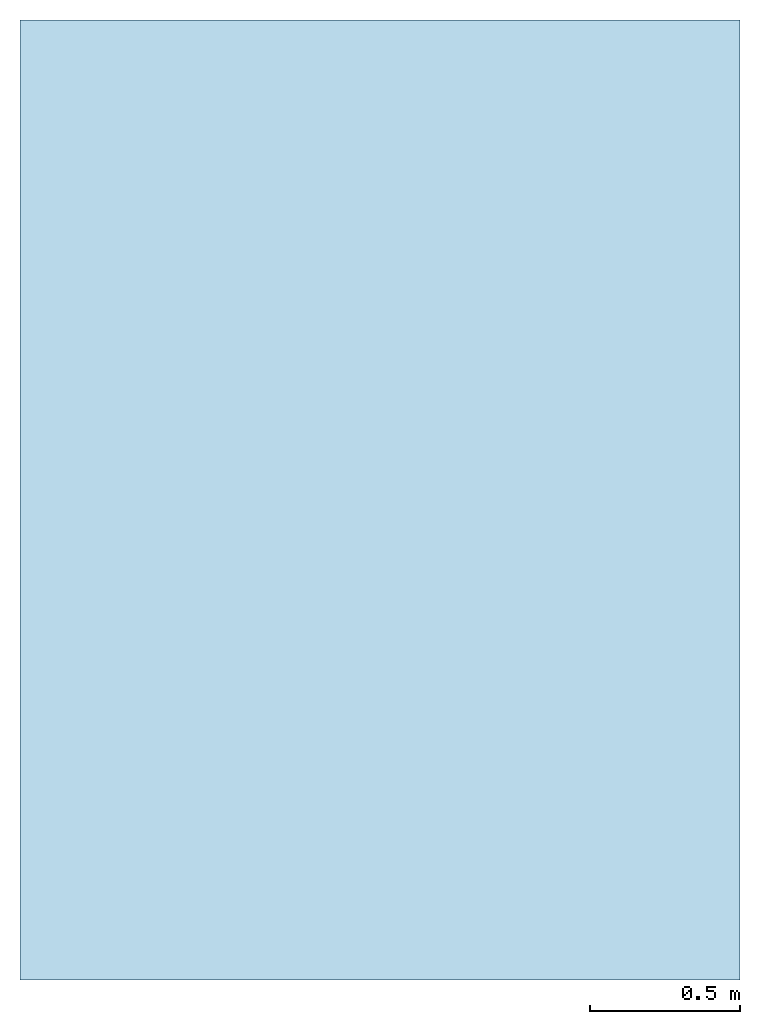
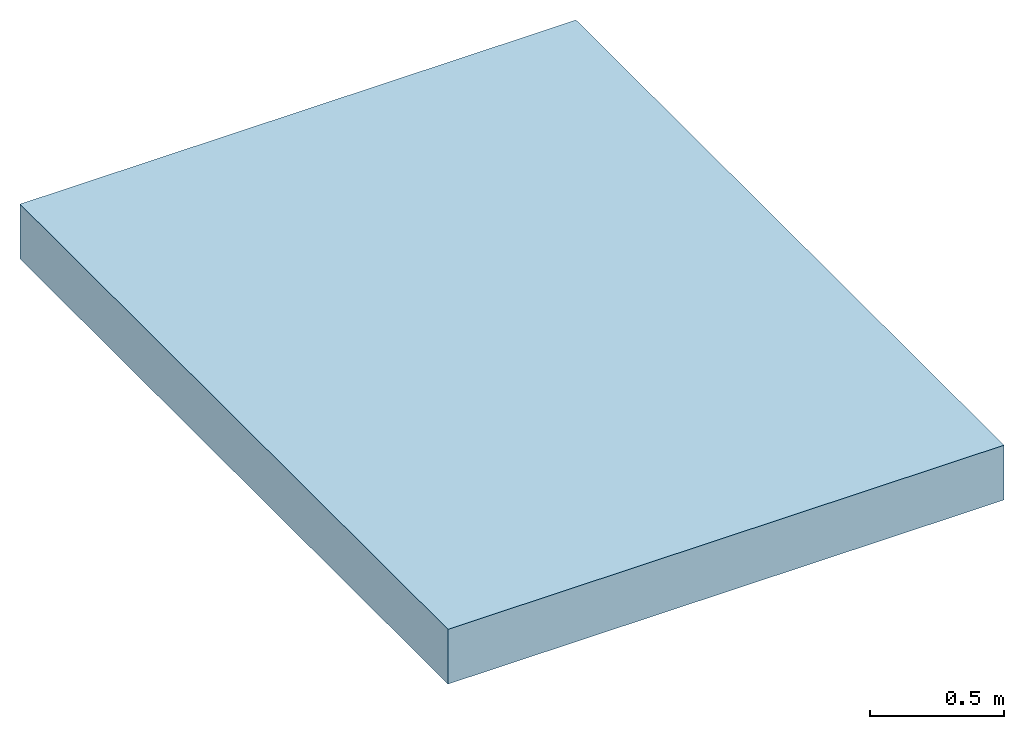
# One storey: 1 slab.
"""IFC4 building model written with IfcOpenShell, lengths in metres."""

from ifc_helpers import new_model, si_unit, direction, frame, origin, place, context, subcontext, project, spatial, polyline, outline, extrude, material, layer, layer_set, type_object, element, save


model = new_model("IFC4")

# Units and contexts
model_context = context("Model", 3, precision=1e-05, world=origin(), true_north=direction((0.0, 1.0)))
body_context = subcontext(model_context, "Body", "Model", "MODEL_VIEW")
ifc_project = project(units=[si_unit("LENGTHUNIT", "METRE"), si_unit("AREAUNIT", "SQUARE_METRE"), si_unit("VOLUMEUNIT", "CUBIC_METRE"), si_unit("PLANEANGLEUNIT", "RADIAN"), si_unit("MASSUNIT", "GRAM", prefix="KILO")], contexts=[model_context])

# Site, building, storey
site_placement = place(None, origin())
site = spatial("IfcSite", under=ifc_project, at=site_placement, CompositionType="ELEMENT")
building_placement = place(site_placement, origin())
building = spatial("IfcBuilding", under=site, at=building_placement, Name="Ravi Spectrum Wholesale Market", CompositionType="ELEMENT")
storey_placement = place(building_placement, frame((0.0, 0.0, 20.39990234375)))
storey = spatial("IfcBuildingStorey", under=building, at=storey_placement, Name="ROOF OVERRUN", CompositionType="ELEMENT", Elevation=20.39990234375)

# Slab
ifc_material = material(Name="Concrete C35/45", Category="concrete")
ifc_layer = layer(ifc_material, 0.25)
ifc_layer_set = layer_set([ifc_layer], Name="Concrete C35/45")
slab_type = type_object("IfcSlabType", Name="Flat roof slab 250", PredefinedType="ROOF", material=ifc_layer_set)
slab_placement = place(storey_placement, origin())
element("IfcSlab", 1, at=slab_placement, inside=storey, type_object=slab_type, Name="Lift overrun roof LF-CS-1", PredefinedType="ROOF", context=body_context, shape_type="SweptSolid", body=[
    extrude(outline(polyline([(206.27490234375, 45.875), (206.27490234375, 49.074951171875), (203.875, 49.074951171875), (203.875, 45.875), (206.27490234375, 45.875)])), origin(), (0.0, 0.0, 1.0), 0.25),
])

save(model, "model.ifc")
